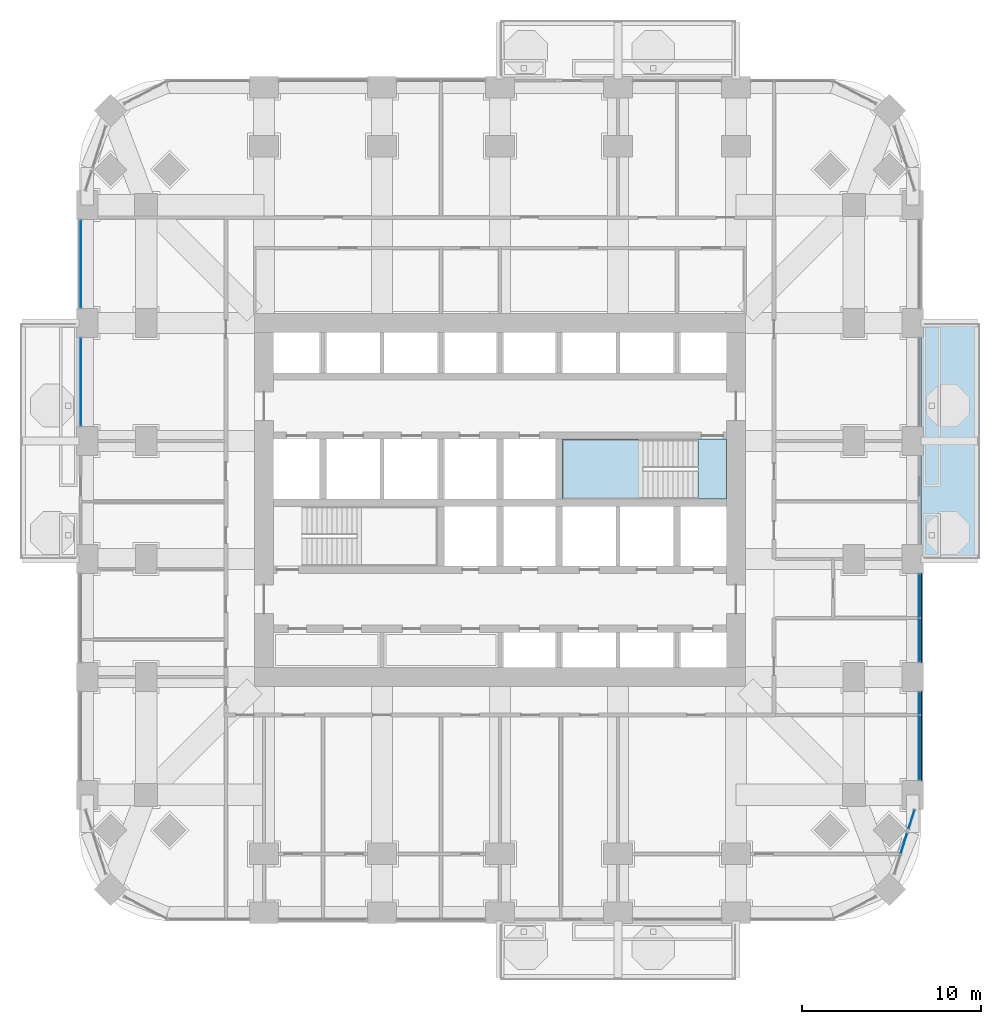
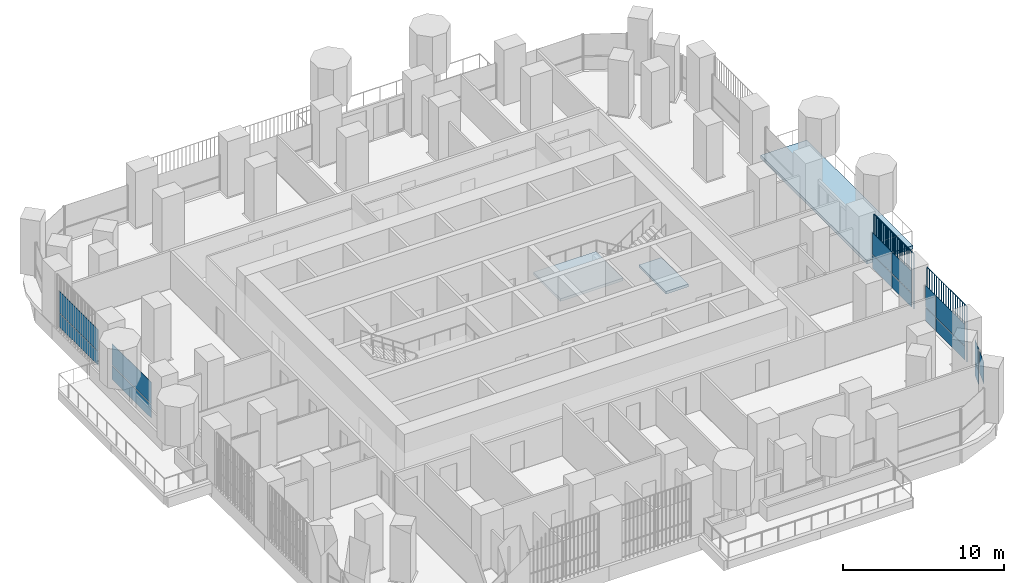
# One storey, part 11 of 22: 17 plates, 3 slabs, 7 elements without a shape of their own.
"""IFC4 building model written with IfcOpenShell, lengths in metres."""

from ifc_helpers import new_model, si_unit, direction, frame, origin, origin_2d, place, context, subcontext, project, spatial, polyline, rectangle, outline, extrude, material, layer, layer_set, type_object, element, aggregate, save


model = new_model("IFC4")

# Units and contexts
model_context = context("Model", 3, precision=1e-05, world=origin(), true_north=direction((0.0, 1.0)))
body_context = subcontext(model_context, "Body", "Model", "MODEL_VIEW")
ifc_project = project(units=[si_unit("LENGTHUNIT", "METRE"), si_unit("AREAUNIT", "SQUARE_METRE"), si_unit("VOLUMEUNIT", "CUBIC_METRE"), si_unit("PLANEANGLEUNIT", "RADIAN"), si_unit("MASSUNIT", "GRAM", prefix="KILO")], contexts=[model_context])

# Site, building, storey
site_placement = place(None, origin())
site = spatial("IfcSite", under=ifc_project, at=site_placement, CompositionType="ELEMENT")
building_placement = place(site_placement, origin())
building = spatial("IfcBuilding", under=site, at=building_placement, Name="Cobogo Forest Laboratory Tower", CompositionType="ELEMENT")
storey_placement = place(building_placement, frame((0.0, 0.0, 94.800048828125)))
storey = spatial("IfcBuildingStorey", under=building, at=storey_placement, Name="L21", CompositionType="ELEMENT", Elevation=94.800048828125)

# Slab
ifc_material_1 = material(Name="Concrete HA-40 (C40/50)", Category="concrete")
ifc_layer_1 = layer(ifc_material_1, 0.25)
ifc_layer_set_1 = layer_set([ifc_layer_1], Name="Balcony slab 250")
slab_type_1 = type_object("IfcSlabType", Name="Balcony slab 250", PredefinedType="FLOOR", material=ifc_layer_set_1)
slab_1_placement = place(storey_placement, frame((0.0, 0.0, -0.25)))
element("IfcSlab", 1, at=slab_1_placement, inside=storey, type_object=slab_type_1, Name="Balcony BAL-E1 L21", PredefinedType="FLOOR", context=body_context, shape_type="SweptSolid", body=[
    extrude(outline(polyline([(49.949951171875, 19.800048828125), (53.25, 19.800048828125), (53.25, 33.0), (49.949951171875, 33.0), (49.949951171875, 19.800048828125)])), origin(), (0.0, 0.0, 1.0), 0.25),
])

# Curtain wall, plate
ifc_material_2 = material(Name="Aluminium curtain wall", Category="aluminium")
curtain_wall_type = type_object("IfcCurtainWallType", Name="CW-1 unitised curtain wall, clear glazing, laboratory floors zones A and B", PredefinedType="USERDEFINED", material=ifc_material_2)
curtain_wall_1_placement = place(storey_placement, origin())
curtain_wall_1 = element("IfcCurtainWall", 2, at=curtain_wall_1_placement, inside=storey, type_object=curtain_wall_type, Name="Curtain wall 08 L21", ObjectType="UNITISED CURTAIN WALL", PredefinedType="USERDEFINED")
ifc_material_3 = material(Name="Clear insulated glass", Category="glass")
ifc_layer_2 = layer(ifc_material_3, 0.028076171875)
ifc_layer_set_2 = layer_set([ifc_layer_2], Name="GP-1 clear insulated glass unit 28")
plate_type_1 = type_object("IfcPlateType", Name="GP-1 clear insulated glass unit 28", PredefinedType="CURTAIN_PANEL", material=ifc_layer_set_2)
plate_1_placement = place(storey_placement, frame((48.99365234375, 3.88818359375, 1.079833984375), z_axis=(0.0, 0.0, 1.0), x_axis=(0.301135291996, 0.953581425949, 0.0)))
plate_1 = element("IfcPlate", 3, at=plate_1_placement, type_object=plate_type_1, Name="CW-1 panel 2.2", PredefinedType="CURTAIN_PANEL", context=body_context, shape_type="SweptSolid", body=[
    extrude(rectangle(XDim=1.223876953125, YDim=0.028076171875, at=origin_2d()), origin(), (0.0, 0.0, 1.0), 1.6201171875),
])
aggregate(curtain_wall_1, [plate_1])

# Curtain wall, plates
curtain_wall_2_placement = place(storey_placement, origin())
curtain_wall_2 = element("IfcCurtainWall", 4, at=curtain_wall_2_placement, inside=storey, type_object=curtain_wall_type, Name="Curtain wall 09 L21", ObjectType="UNITISED CURTAIN WALL", PredefinedType="USERDEFINED")
plate_2_placement = place(storey_placement, frame((49.41796875, 5.232177734375, 0.0), z_axis=(0.0, 0.0, 1.0), x_axis=(0.301135667865, 0.953581307252, 0.0)))
plate_2 = element("IfcPlate", 5, at=plate_2_placement, type_object=plate_type_1, Name="CW-1 panel 1.1", PredefinedType="CURTAIN_PANEL", context=body_context, shape_type="SweptSolid", body=[
    extrude(rectangle(XDim=1.071044921875, YDim=0.028076171875, at=origin_2d()), origin(), (0.0, 0.0, 1.0), 1.02001953125),
])
plate_3_placement = place(storey_placement, frame((49.41796875, 5.232177734375, 1.079833984375), z_axis=(0.0, 0.0, 1.0), x_axis=(0.301135667865, 0.953581307252, 0.0)))
plate_3 = element("IfcPlate", 6, at=plate_3_placement, type_object=plate_type_1, Name="CW-1 panel 1.2", PredefinedType="CURTAIN_PANEL", context=body_context, shape_type="SweptSolid", body=[
    extrude(rectangle(XDim=1.071044921875, YDim=0.028076171875, at=origin_2d()), origin(), (0.0, 0.0, 1.0), 1.6201171875),
])
aggregate(curtain_wall_2, [plate_2, plate_3])

curtain_wall_3_placement = place(storey_placement, origin())
curtain_wall_3 = element("IfcCurtainWall", 7, at=curtain_wall_3_placement, inside=storey, type_object=curtain_wall_type, Name="Curtain wall 10 L21", ObjectType="UNITISED CURTAIN WALL", PredefinedType="USERDEFINED")
plate_4_placement = place(storey_placement, frame((49.85009765625, 9.25244140625, 0.0), z_axis=(0.0, 0.0, 1.0), x_axis=(0.0, 1.0, 0.0)))
plate_4 = element("IfcPlate", 8, at=plate_4_placement, type_object=plate_type_1, Name="CW-1 panel 1.1", PredefinedType="CURTAIN_PANEL", context=body_context, shape_type="SweptSolid", body=[
    extrude(rectangle(XDim=3.5849609375, YDim=0.028076171875, at=origin_2d()), origin(), (0.0, 0.0, 1.0), 1.02001953125),
])
plate_5_placement = place(storey_placement, frame((49.85009765625, 9.25244140625, 1.079833984375), z_axis=(0.0, 0.0, 1.0), x_axis=(0.0, 1.0, 0.0)))
plate_5 = element("IfcPlate", 9, at=plate_5_placement, type_object=plate_type_1, Name="CW-1 panel 1.2", PredefinedType="CURTAIN_PANEL", context=body_context, shape_type="SweptSolid", body=[
    extrude(rectangle(XDim=3.5849609375, YDim=0.028076171875, at=origin_2d()), origin(), (0.0, 0.0, 1.0), 1.6201171875),
])
plate_6_placement = place(storey_placement, frame((49.85009765625, 11.722412109375, 0.0), z_axis=(0.0, 0.0, 1.0), x_axis=(0.0, 1.0, 0.0)))
plate_6 = element("IfcPlate", 10, at=plate_6_placement, type_object=plate_type_1, Name="CW-1 panel 2.1", PredefinedType="CURTAIN_PANEL", context=body_context, shape_type="SweptSolid", body=[
    extrude(rectangle(XDim=1.235107421875, YDim=0.028076171875, at=origin_2d()), origin(), (0.0, 0.0, 1.0), 1.02001953125),
])
plate_7_placement = place(storey_placement, frame((49.85009765625, 11.722412109375, 1.079833984375), z_axis=(0.0, 0.0, 1.0), x_axis=(0.0, 1.0, 0.0)))
plate_7 = element("IfcPlate", 11, at=plate_7_placement, type_object=plate_type_1, Name="CW-1 panel 2.2", PredefinedType="CURTAIN_PANEL", context=body_context, shape_type="SweptSolid", body=[
    extrude(rectangle(XDim=1.235107421875, YDim=0.028076171875, at=origin_2d()), origin(), (0.0, 0.0, 1.0), 1.6201171875),
])
aggregate(curtain_wall_3, [plate_4, plate_5, plate_6, plate_7])

curtain_wall_4_placement = place(storey_placement, origin())
curtain_wall_4 = element("IfcCurtainWall", 12, at=curtain_wall_4_placement, inside=storey, type_object=curtain_wall_type, Name="Curtain wall 11 L21", ObjectType="UNITISED CURTAIN WALL", PredefinedType="USERDEFINED")
plate_8_placement = place(storey_placement, frame((49.85009765625, 15.264892578125, 0.0), z_axis=(0.0, 0.0, 1.0), x_axis=(0.0, 1.0, 0.0)))
plate_8 = element("IfcPlate", 13, at=plate_8_placement, type_object=plate_type_1, Name="CW-1 panel 1.1", PredefinedType="CURTAIN_PANEL", context=body_context, shape_type="SweptSolid", body=[
    extrude(rectangle(XDim=2.409912109375, YDim=0.028076171875, at=origin_2d()), origin(), (0.0, 0.0, 1.0), 1.02001953125),
])
plate_9_placement = place(storey_placement, frame((49.85009765625, 15.264892578125, 1.079833984375), z_axis=(0.0, 0.0, 1.0), x_axis=(0.0, 1.0, 0.0)))
plate_9 = element("IfcPlate", 14, at=plate_9_placement, type_object=plate_type_1, Name="CW-1 panel 1.2", PredefinedType="CURTAIN_PANEL", context=body_context, shape_type="SweptSolid", body=[
    extrude(rectangle(XDim=2.409912109375, YDim=0.028076171875, at=origin_2d()), origin(), (0.0, 0.0, 1.0), 1.6201171875),
])
plate_10_placement = place(storey_placement, frame((49.85009765625, 17.735107421875, 0.0), z_axis=(0.0, 0.0, 1.0), x_axis=(0.0, 1.0, 0.0)))
plate_10 = element("IfcPlate", 15, at=plate_10_placement, type_object=plate_type_1, Name="CW-1 panel 2.1", PredefinedType="CURTAIN_PANEL", context=body_context, shape_type="SweptSolid", body=[
    extrude(rectangle(XDim=2.409912109375, YDim=0.028076171875, at=origin_2d()), origin(), (0.0, 0.0, 1.0), 1.02001953125),
])
plate_11_placement = place(storey_placement, frame((49.85009765625, 17.735107421875, 1.079833984375), z_axis=(0.0, 0.0, 1.0), x_axis=(0.0, 1.0, 0.0)))
plate_11 = element("IfcPlate", 16, at=plate_11_placement, type_object=plate_type_1, Name="CW-1 panel 2.2", PredefinedType="CURTAIN_PANEL", context=body_context, shape_type="SweptSolid", body=[
    extrude(rectangle(XDim=2.409912109375, YDim=0.028076171875, at=origin_2d()), origin(), (0.0, 0.0, 1.0), 1.6201171875),
])
aggregate(curtain_wall_4, [plate_8, plate_9, plate_10, plate_11])

curtain_wall_5_placement = place(storey_placement, origin())
curtain_wall_5 = element("IfcCurtainWall", 17, at=curtain_wall_5_placement, inside=storey, type_object=curtain_wall_type, Name="Curtain wall 27 L21", ObjectType="UNITISED CURTAIN WALL", PredefinedType="USERDEFINED")
plate_12_placement = place(storey_placement, frame((2.949951171875, 36.300048828125, 0.0), z_axis=(0.0, 0.0, 1.0), x_axis=(0.0, -1.0, 0.0)))
plate_12 = element("IfcPlate", 18, at=plate_12_placement, type_object=plate_type_1, Name="CW-1 panel 1.1", PredefinedType="CURTAIN_PANEL", context=body_context, shape_type="SweptSolid", body=[
    extrude(rectangle(XDim=4.8798828125, YDim=0.028076171875, at=origin_2d()), origin(), (0.0, 0.0, 1.0), 1.02001953125),
])
plate_13_placement = place(storey_placement, frame((2.949951171875, 36.300048828125, 1.079833984375), z_axis=(0.0, 0.0, 1.0), x_axis=(0.0, -1.0, 0.0)))
plate_13 = element("IfcPlate", 19, at=plate_13_placement, type_object=plate_type_1, Name="CW-1 panel 1.2", PredefinedType="CURTAIN_PANEL", context=body_context, shape_type="SweptSolid", body=[
    extrude(rectangle(XDim=4.8798828125, YDim=0.028076171875, at=origin_2d()), origin(), (0.0, 0.0, 1.0), 1.6201171875),
])
aggregate(curtain_wall_5, [plate_12, plate_13])

curtain_wall_6_placement = place(storey_placement, origin())
curtain_wall_6 = element("IfcCurtainWall", 20, at=curtain_wall_6_placement, inside=storey, type_object=curtain_wall_type, Name="Curtain wall 28 L21", ObjectType="UNITISED CURTAIN WALL", PredefinedType="USERDEFINED")
plate_14_placement = place(storey_placement, frame((2.949951171875, 29.699951171875, 0.0), z_axis=(0.0, 0.0, 1.0), x_axis=(0.0, -1.0, 0.0)))
plate_14 = element("IfcPlate", 21, at=plate_14_placement, type_object=plate_type_1, Name="CW-1 panel 1.1", PredefinedType="CURTAIN_PANEL", context=body_context, shape_type="SweptSolid", body=[
    extrude(rectangle(XDim=4.8798828125, YDim=0.028076171875, at=origin_2d()), origin(), (0.0, 0.0, 1.0), 1.02001953125),
])
plate_15_placement = place(storey_placement, frame((2.949951171875, 29.699951171875, 1.079833984375), z_axis=(0.0, 0.0, 1.0), x_axis=(0.0, -1.0, 0.0)))
plate_15 = element("IfcPlate", 22, at=plate_15_placement, type_object=plate_type_1, Name="CW-1 panel 1.2", PredefinedType="CURTAIN_PANEL", context=body_context, shape_type="SweptSolid", body=[
    extrude(rectangle(XDim=4.8798828125, YDim=0.028076171875, at=origin_2d()), origin(), (0.0, 0.0, 1.0), 1.6201171875),
])
aggregate(curtain_wall_6, [plate_14, plate_15])

# Stair, slabs
ifc_material_4 = material(Name="Precast concrete HA-40 (C40/50)", Category="concrete")
stair_type = type_object("IfcStairType", Name="ST24 exit stair 24 risers", PredefinedType="HALF_TURN_STAIR", material=ifc_material_4)
stair_placement = place(storey_placement, origin())
stair = element("IfcStair", 23, at=stair_placement, inside=storey, type_object=stair_type, Name="Stair 2 L21 to L22", PredefinedType="HALF_TURN_STAIR")
ifc_layer_3 = layer(ifc_material_1, 0.199951171875)
ifc_layer_set_3 = layer_set([ifc_layer_3], Name="SL stair landing 200")
slab_type_2 = type_object("IfcSlabType", Name="SL stair landing 200", PredefinedType="LANDING", material=ifc_layer_set_3)
slab_2_placement = place(storey_placement, frame((0.0, 0.0, -0.199951171875)))
slab_2 = element("IfcSlab", 24, at=slab_2_placement, type_object=slab_type_2, Name="ST2 landing 1", PredefinedType="LANDING", context=body_context, shape_type="SweptSolid", body=[
    extrude(outline(polyline([(37.472900390625, 23.14990234375), (39.074951171875, 23.14990234375), (39.074951171875, 26.5), (37.472900390625, 26.5), (37.472900390625, 23.14990234375)])), origin(), (0.0, 0.0, 1.0), 0.199951171875),
])
slab_3_placement = place(storey_placement, frame((0.0, 0.0, 1.89990234375)))
slab_3 = element("IfcSlab", 25, at=slab_3_placement, type_object=slab_type_2, Name="ST2 landing 2", PredefinedType="LANDING", context=body_context, shape_type="SweptSolid", body=[
    extrude(outline(polyline([(29.89990234375, 23.14990234375), (34.39697265625, 23.14990234375), (34.39697265625, 26.5), (29.89990234375, 26.5), (29.89990234375, 23.14990234375)])), origin(), (0.0, 0.0, 1.0), 0.199951171875),
])
aggregate(stair, [slab_2, slab_3])

# Plates
ifc_material_5 = material(Name="Terracotta", Category="masonry")
plate_type_2 = type_object("IfcPlateType", Name="TB1 terracotta baguette screen", PredefinedType="USERDEFINED", material=ifc_material_5)
plate_16_placement = place(storey_placement, frame((49.977783203125, 7.43115234375, -0.150146484375)))
element("IfcPlate", 26, at=plate_16_placement, inside=storey, type_object=plate_type_2, Name="Baguette screen E1 L21", ObjectType="BAGUETTE SCREEN", PredefinedType="USERDEFINED", context=body_context, shape_type="SweptSolid", body=[
    extrude(outline(polyline([(0.02880859375, 0.011962890625), (0.011962890625, 0.02880859375), (-0.011962890625, 0.02880859375), (-0.02880859375, 0.011962890625), (-0.02880859375, -0.011962890625), (-0.011962890625, -0.02880859375), (0.011962890625, -0.02880859375), (0.02880859375, -0.011962890625), (0.02880859375, 0.011962890625)])), frame((0.0, 0.0, 4.168701171875), z_axis=(0.0, 1.0, 0.0), x_axis=(-1.0, 0.0, 0.0)), (0.0, 0.0, 1.0), 4.9375),
    extrude(outline(polyline([(0.02880859375, 0.011962890625), (0.011962890625, 0.02880859375), (-0.011962890625, 0.02880859375), (-0.02880859375, 0.011962890625), (-0.02880859375, -0.011962890625), (-0.011962890625, -0.02880859375), (0.011962890625, -0.02880859375), (0.02880859375, -0.011962890625), (0.02880859375, 0.011962890625)])), origin(), (0.0, 0.0, 1.0), 4.137451171875),
    extrude(outline(polyline([(0.02880859375, 0.011962890625), (0.011962890625, 0.02880859375), (-0.011962890625, 0.02880859375), (-0.02880859375, 0.011962890625), (-0.02880859375, -0.011962890625), (-0.011962890625, -0.02880859375), (0.011962890625, -0.02880859375), (0.02880859375, -0.011962890625), (0.02880859375, 0.011962890625)])), frame((0.0, 0.29052734375, 0.0)), (0.0, 0.0, 1.0), 4.137451171875),
    extrude(outline(polyline([(0.02880859375, 0.011962890625), (0.011962890625, 0.02880859375), (-0.011962890625, 0.02880859375), (-0.02880859375, 0.011962890625), (-0.02880859375, -0.011962890625), (-0.011962890625, -0.02880859375), (0.011962890625, -0.02880859375), (0.02880859375, -0.011962890625), (0.02880859375, 0.011962890625)])), frame((0.0, 0.580810546875, 0.0)), (0.0, 0.0, 1.0), 4.137451171875),
    extrude(outline(polyline([(0.02880859375, 0.011962890625), (0.011962890625, 0.02880859375), (-0.011962890625, 0.02880859375), (-0.02880859375, 0.011962890625), (-0.02880859375, -0.011962890625), (-0.011962890625, -0.02880859375), (0.011962890625, -0.02880859375), (0.02880859375, -0.011962890625), (0.02880859375, 0.011962890625)])), frame((0.0, 0.871337890625, 0.0)), (0.0, 0.0, 1.0), 4.137451171875),
    extrude(outline(polyline([(0.02880859375, 0.011962890625), (0.011962890625, 0.02880859375), (-0.011962890625, 0.02880859375), (-0.02880859375, 0.011962890625), (-0.02880859375, -0.011962890625), (-0.011962890625, -0.02880859375), (0.011962890625, -0.02880859375), (0.02880859375, -0.011962890625), (0.02880859375, 0.011962890625)])), frame((0.0, 1.161865234375, 0.0)), (0.0, 0.0, 1.0), 4.137451171875),
    extrude(outline(polyline([(0.02880859375, 0.011962890625), (0.011962890625, 0.02880859375), (-0.011962890625, 0.02880859375), (-0.02880859375, 0.011962890625), (-0.02880859375, -0.011962890625), (-0.011962890625, -0.02880859375), (0.011962890625, -0.02880859375), (0.02880859375, -0.011962890625), (0.02880859375, 0.011962890625)])), frame((0.0, 1.4521484375, 0.0)), (0.0, 0.0, 1.0), 4.137451171875),
    extrude(outline(polyline([(0.02880859375, 0.011962890625), (0.011962890625, 0.02880859375), (-0.011962890625, 0.02880859375), (-0.02880859375, 0.011962890625), (-0.02880859375, -0.011962890625), (-0.011962890625, -0.02880859375), (0.011962890625, -0.02880859375), (0.02880859375, -0.011962890625), (0.02880859375, 0.011962890625)])), frame((0.0, 1.74267578125, 0.0)), (0.0, 0.0, 1.0), 4.137451171875),
    extrude(outline(polyline([(0.02880859375, 0.011962890625), (0.011962890625, 0.02880859375), (-0.011962890625, 0.02880859375), (-0.02880859375, 0.011962890625), (-0.02880859375, -0.011962890625), (-0.011962890625, -0.02880859375), (0.011962890625, -0.02880859375), (0.02880859375, -0.011962890625), (0.02880859375, 0.011962890625)])), frame((0.0, 2.033203125, 0.0)), (0.0, 0.0, 1.0), 4.137451171875),
    extrude(outline(polyline([(0.02880859375, 0.011962890625), (0.011962890625, 0.02880859375), (-0.011962890625, 0.02880859375), (-0.02880859375, 0.011962890625), (-0.02880859375, -0.011962890625), (-0.011962890625, -0.02880859375), (0.011962890625, -0.02880859375), (0.02880859375, -0.011962890625), (0.02880859375, 0.011962890625)])), frame((0.0, 2.323486328125, 0.0)), (0.0, 0.0, 1.0), 4.137451171875),
    extrude(outline(polyline([(0.02880859375, 0.011962890625), (0.011962890625, 0.02880859375), (-0.011962890625, 0.02880859375), (-0.02880859375, 0.011962890625), (-0.02880859375, -0.011962890625), (-0.011962890625, -0.02880859375), (0.011962890625, -0.02880859375), (0.02880859375, -0.011962890625), (0.02880859375, 0.011962890625)])), frame((0.0, 2.614013671875, 0.0)), (0.0, 0.0, 1.0), 4.137451171875),
    extrude(outline(polyline([(0.02880859375, 0.011962890625), (0.011962890625, 0.02880859375), (-0.011962890625, 0.02880859375), (-0.02880859375, 0.011962890625), (-0.02880859375, -0.011962890625), (-0.011962890625, -0.02880859375), (0.011962890625, -0.02880859375), (0.02880859375, -0.011962890625), (0.02880859375, 0.011962890625)])), frame((0.0, 2.904296875, 0.0)), (0.0, 0.0, 1.0), 4.137451171875),
    extrude(outline(polyline([(0.02880859375, 0.011962890625), (0.011962890625, 0.02880859375), (-0.011962890625, 0.02880859375), (-0.02880859375, 0.011962890625), (-0.02880859375, -0.011962890625), (-0.011962890625, -0.02880859375), (0.011962890625, -0.02880859375), (0.02880859375, -0.011962890625), (0.02880859375, 0.011962890625)])), frame((0.0, 3.19482421875, 0.0)), (0.0, 0.0, 1.0), 4.137451171875),
    extrude(outline(polyline([(0.02880859375, 0.011962890625), (0.011962890625, 0.02880859375), (-0.011962890625, 0.02880859375), (-0.02880859375, 0.011962890625), (-0.02880859375, -0.011962890625), (-0.011962890625, -0.02880859375), (0.011962890625, -0.02880859375), (0.02880859375, -0.011962890625), (0.02880859375, 0.011962890625)])), frame((0.0, 3.4853515625, 0.0)), (0.0, 0.0, 1.0), 4.137451171875),
    extrude(outline(polyline([(0.02880859375, 0.011962890625), (0.011962890625, 0.02880859375), (-0.011962890625, 0.02880859375), (-0.02880859375, 0.011962890625), (-0.02880859375, -0.011962890625), (-0.011962890625, -0.02880859375), (0.011962890625, -0.02880859375), (0.02880859375, -0.011962890625), (0.02880859375, 0.011962890625)])), frame((0.0, 3.775634765625, 0.0)), (0.0, 0.0, 1.0), 4.137451171875),
    extrude(outline(polyline([(0.02880859375, 0.011962890625), (0.011962890625, 0.02880859375), (-0.011962890625, 0.02880859375), (-0.02880859375, 0.011962890625), (-0.02880859375, -0.011962890625), (-0.011962890625, -0.02880859375), (0.011962890625, -0.02880859375), (0.02880859375, -0.011962890625), (0.02880859375, 0.011962890625)])), frame((0.0, 4.066162109375, 0.0)), (0.0, 0.0, 1.0), 4.137451171875),
    extrude(outline(polyline([(0.02880859375, 0.011962890625), (0.011962890625, 0.02880859375), (-0.011962890625, 0.02880859375), (-0.02880859375, 0.011962890625), (-0.02880859375, -0.011962890625), (-0.011962890625, -0.02880859375), (0.011962890625, -0.02880859375), (0.02880859375, -0.011962890625), (0.02880859375, 0.011962890625)])), frame((0.0, 4.356689453125, 0.0)), (0.0, 0.0, 1.0), 4.137451171875),
    extrude(outline(polyline([(0.02880859375, 0.011962890625), (0.011962890625, 0.02880859375), (-0.011962890625, 0.02880859375), (-0.02880859375, 0.011962890625), (-0.02880859375, -0.011962890625), (-0.011962890625, -0.02880859375), (0.011962890625, -0.02880859375), (0.02880859375, -0.011962890625), (0.02880859375, 0.011962890625)])), frame((0.0, 4.64697265625, 0.0)), (0.0, 0.0, 1.0), 4.137451171875),
    extrude(outline(polyline([(0.02880859375, 0.011962890625), (0.011962890625, 0.02880859375), (-0.011962890625, 0.02880859375), (-0.02880859375, 0.011962890625), (-0.02880859375, -0.011962890625), (-0.011962890625, -0.02880859375), (0.011962890625, -0.02880859375), (0.02880859375, -0.011962890625), (0.02880859375, 0.011962890625)])), frame((0.0, 4.9375, 0.0)), (0.0, 0.0, 1.0), 4.137451171875),
])
plate_17_placement = place(storey_placement, frame((49.977783203125, 14.03125, -0.150146484375)))
element("IfcPlate", 27, at=plate_17_placement, inside=storey, type_object=plate_type_2, Name="Baguette screen E2 L21", ObjectType="BAGUETTE SCREEN", PredefinedType="USERDEFINED", context=body_context, shape_type="SweptSolid", body=[
    extrude(outline(polyline([(0.02880859375, 0.011962890625), (0.011962890625, 0.02880859375), (-0.011962890625, 0.02880859375), (-0.02880859375, 0.011962890625), (-0.02880859375, -0.011962890625), (-0.011962890625, -0.02880859375), (0.011962890625, -0.02880859375), (0.02880859375, -0.011962890625), (0.02880859375, 0.011962890625)])), frame((0.0, 0.0, 4.168701171875), z_axis=(0.0, 1.0, 0.0), x_axis=(-1.0, 0.0, 0.0)), (0.0, 0.0, 1.0), 4.9375),
    extrude(outline(polyline([(0.02880859375, 0.011962890625), (0.011962890625, 0.02880859375), (-0.011962890625, 0.02880859375), (-0.02880859375, 0.011962890625), (-0.02880859375, -0.011962890625), (-0.011962890625, -0.02880859375), (0.011962890625, -0.02880859375), (0.02880859375, -0.011962890625), (0.02880859375, 0.011962890625)])), origin(), (0.0, 0.0, 1.0), 4.137451171875),
    extrude(outline(polyline([(0.02880859375, 0.011962890625), (0.011962890625, 0.02880859375), (-0.011962890625, 0.02880859375), (-0.02880859375, 0.011962890625), (-0.02880859375, -0.011962890625), (-0.011962890625, -0.02880859375), (0.011962890625, -0.02880859375), (0.02880859375, -0.011962890625), (0.02880859375, 0.011962890625)])), frame((0.0, 0.29052734375, 0.0)), (0.0, 0.0, 1.0), 4.137451171875),
    extrude(outline(polyline([(0.02880859375, 0.011962890625), (0.011962890625, 0.02880859375), (-0.011962890625, 0.02880859375), (-0.02880859375, 0.011962890625), (-0.02880859375, -0.011962890625), (-0.011962890625, -0.02880859375), (0.011962890625, -0.02880859375), (0.02880859375, -0.011962890625), (0.02880859375, 0.011962890625)])), frame((0.0, 0.580810546875, 0.0)), (0.0, 0.0, 1.0), 4.137451171875),
    extrude(outline(polyline([(0.02880859375, 0.011962890625), (0.011962890625, 0.02880859375), (-0.011962890625, 0.02880859375), (-0.02880859375, 0.011962890625), (-0.02880859375, -0.011962890625), (-0.011962890625, -0.02880859375), (0.011962890625, -0.02880859375), (0.02880859375, -0.011962890625), (0.02880859375, 0.011962890625)])), frame((0.0, 0.871337890625, 0.0)), (0.0, 0.0, 1.0), 4.137451171875),
    extrude(outline(polyline([(0.02880859375, 0.011962890625), (0.011962890625, 0.02880859375), (-0.011962890625, 0.02880859375), (-0.02880859375, 0.011962890625), (-0.02880859375, -0.011962890625), (-0.011962890625, -0.02880859375), (0.011962890625, -0.02880859375), (0.02880859375, -0.011962890625), (0.02880859375, 0.011962890625)])), frame((0.0, 1.161865234375, 0.0)), (0.0, 0.0, 1.0), 4.137451171875),
    extrude(outline(polyline([(0.02880859375, 0.011962890625), (0.011962890625, 0.02880859375), (-0.011962890625, 0.02880859375), (-0.02880859375, 0.011962890625), (-0.02880859375, -0.011962890625), (-0.011962890625, -0.02880859375), (0.011962890625, -0.02880859375), (0.02880859375, -0.011962890625), (0.02880859375, 0.011962890625)])), frame((0.0, 1.4521484375, 0.0)), (0.0, 0.0, 1.0), 4.137451171875),
    extrude(outline(polyline([(0.02880859375, 0.011962890625), (0.011962890625, 0.02880859375), (-0.011962890625, 0.02880859375), (-0.02880859375, 0.011962890625), (-0.02880859375, -0.011962890625), (-0.011962890625, -0.02880859375), (0.011962890625, -0.02880859375), (0.02880859375, -0.011962890625), (0.02880859375, 0.011962890625)])), frame((0.0, 1.74267578125, 0.0)), (0.0, 0.0, 1.0), 4.137451171875),
    extrude(outline(polyline([(0.02880859375, 0.011962890625), (0.011962890625, 0.02880859375), (-0.011962890625, 0.02880859375), (-0.02880859375, 0.011962890625), (-0.02880859375, -0.011962890625), (-0.011962890625, -0.02880859375), (0.011962890625, -0.02880859375), (0.02880859375, -0.011962890625), (0.02880859375, 0.011962890625)])), frame((0.0, 2.033203125, 0.0)), (0.0, 0.0, 1.0), 4.137451171875),
    extrude(outline(polyline([(0.02880859375, 0.011962890625), (0.011962890625, 0.02880859375), (-0.011962890625, 0.02880859375), (-0.02880859375, 0.011962890625), (-0.02880859375, -0.011962890625), (-0.011962890625, -0.02880859375), (0.011962890625, -0.02880859375), (0.02880859375, -0.011962890625), (0.02880859375, 0.011962890625)])), frame((0.0, 2.323486328125, 0.0)), (0.0, 0.0, 1.0), 4.137451171875),
    extrude(outline(polyline([(0.02880859375, 0.011962890625), (0.011962890625, 0.02880859375), (-0.011962890625, 0.02880859375), (-0.02880859375, 0.011962890625), (-0.02880859375, -0.011962890625), (-0.011962890625, -0.02880859375), (0.011962890625, -0.02880859375), (0.02880859375, -0.011962890625), (0.02880859375, 0.011962890625)])), frame((0.0, 2.614013671875, 0.0)), (0.0, 0.0, 1.0), 4.137451171875),
    extrude(outline(polyline([(0.02880859375, 0.011962890625), (0.011962890625, 0.02880859375), (-0.011962890625, 0.02880859375), (-0.02880859375, 0.011962890625), (-0.02880859375, -0.011962890625), (-0.011962890625, -0.02880859375), (0.011962890625, -0.02880859375), (0.02880859375, -0.011962890625), (0.02880859375, 0.011962890625)])), frame((0.0, 2.904296875, 0.0)), (0.0, 0.0, 1.0), 4.137451171875),
    extrude(outline(polyline([(0.02880859375, 0.011962890625), (0.011962890625, 0.02880859375), (-0.011962890625, 0.02880859375), (-0.02880859375, 0.011962890625), (-0.02880859375, -0.011962890625), (-0.011962890625, -0.02880859375), (0.011962890625, -0.02880859375), (0.02880859375, -0.011962890625), (0.02880859375, 0.011962890625)])), frame((0.0, 3.19482421875, 0.0)), (0.0, 0.0, 1.0), 4.137451171875),
    extrude(outline(polyline([(0.02880859375, 0.011962890625), (0.011962890625, 0.02880859375), (-0.011962890625, 0.02880859375), (-0.02880859375, 0.011962890625), (-0.02880859375, -0.011962890625), (-0.011962890625, -0.02880859375), (0.011962890625, -0.02880859375), (0.02880859375, -0.011962890625), (0.02880859375, 0.011962890625)])), frame((0.0, 3.4853515625, 0.0)), (0.0, 0.0, 1.0), 4.137451171875),
    extrude(outline(polyline([(0.02880859375, 0.011962890625), (0.011962890625, 0.02880859375), (-0.011962890625, 0.02880859375), (-0.02880859375, 0.011962890625), (-0.02880859375, -0.011962890625), (-0.011962890625, -0.02880859375), (0.011962890625, -0.02880859375), (0.02880859375, -0.011962890625), (0.02880859375, 0.011962890625)])), frame((0.0, 3.775634765625, 0.0)), (0.0, 0.0, 1.0), 4.137451171875),
    extrude(outline(polyline([(0.02880859375, 0.011962890625), (0.011962890625, 0.02880859375), (-0.011962890625, 0.02880859375), (-0.02880859375, 0.011962890625), (-0.02880859375, -0.011962890625), (-0.011962890625, -0.02880859375), (0.011962890625, -0.02880859375), (0.02880859375, -0.011962890625), (0.02880859375, 0.011962890625)])), frame((0.0, 4.066162109375, 0.0)), (0.0, 0.0, 1.0), 4.137451171875),
    extrude(outline(polyline([(0.02880859375, 0.011962890625), (0.011962890625, 0.02880859375), (-0.011962890625, 0.02880859375), (-0.02880859375, 0.011962890625), (-0.02880859375, -0.011962890625), (-0.011962890625, -0.02880859375), (0.011962890625, -0.02880859375), (0.02880859375, -0.011962890625), (0.02880859375, 0.011962890625)])), frame((0.0, 4.356689453125, 0.0)), (0.0, 0.0, 1.0), 4.137451171875),
    extrude(outline(polyline([(0.02880859375, 0.011962890625), (0.011962890625, 0.02880859375), (-0.011962890625, 0.02880859375), (-0.02880859375, 0.011962890625), (-0.02880859375, -0.011962890625), (-0.011962890625, -0.02880859375), (0.011962890625, -0.02880859375), (0.02880859375, -0.011962890625), (0.02880859375, 0.011962890625)])), frame((0.0, 4.64697265625, 0.0)), (0.0, 0.0, 1.0), 4.137451171875),
    extrude(outline(polyline([(0.02880859375, 0.011962890625), (0.011962890625, 0.02880859375), (-0.011962890625, 0.02880859375), (-0.02880859375, 0.011962890625), (-0.02880859375, -0.011962890625), (-0.011962890625, -0.02880859375), (0.011962890625, -0.02880859375), (0.02880859375, -0.011962890625), (0.02880859375, 0.011962890625)])), frame((0.0, 4.9375, 0.0)), (0.0, 0.0, 1.0), 4.137451171875),
])

save(model, "model.ifc")
